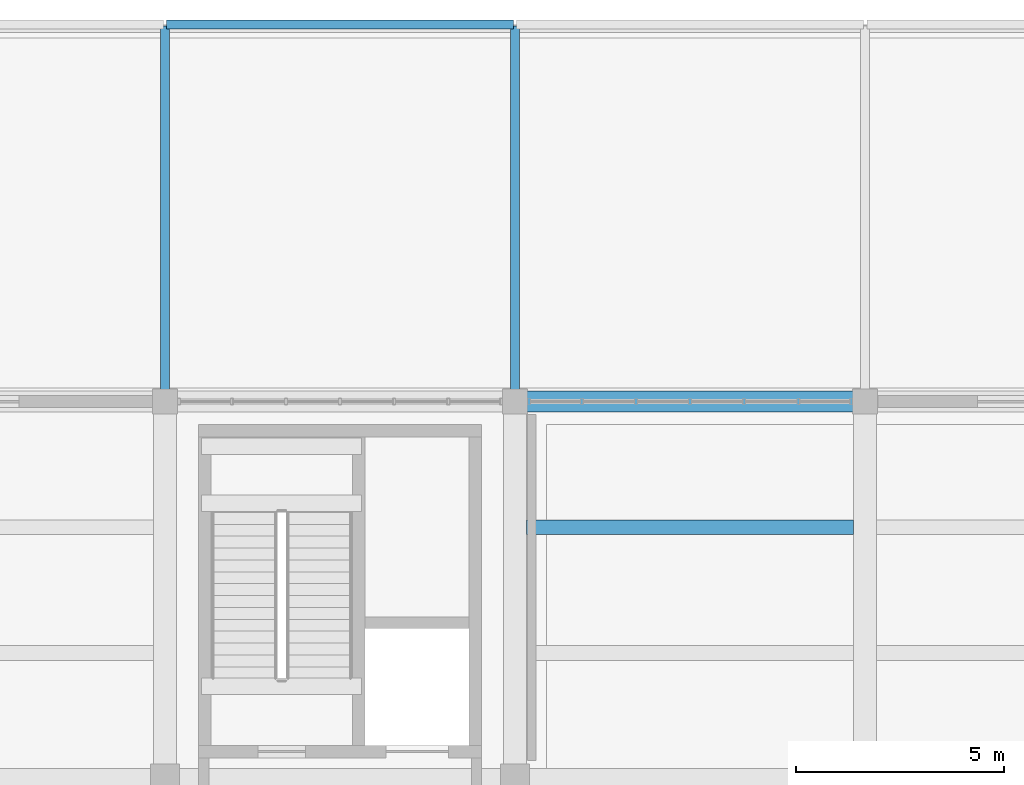
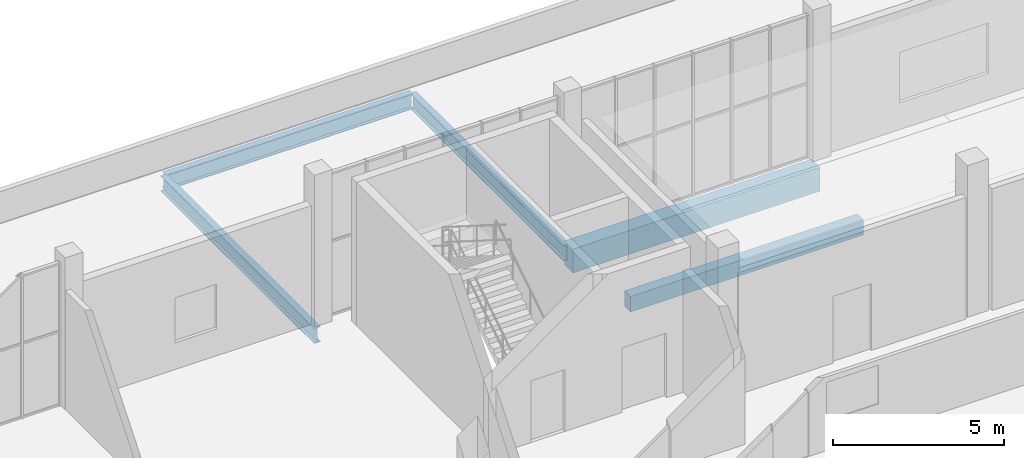
# One storey, part 86 of 132: 5 beams.
"""IFC4 building model written with IfcOpenShell, lengths in metres."""

from ifc_helpers import new_model, si_unit, direction, frame, origin, origin_2d, place, context, subcontext, project, spatial, rectangle, i_section, extrude, material, material_profile, profile_set, type_object, element, save


model = new_model("IFC4")

# Units and contexts
model_context = context("Model", 3, precision=1e-05, world=origin(), true_north=direction((0.0, 1.0)))
body_context = subcontext(model_context, "Body", "Model", "MODEL_VIEW")
ifc_project = project(units=[si_unit("LENGTHUNIT", "METRE"), si_unit("AREAUNIT", "SQUARE_METRE"), si_unit("VOLUMEUNIT", "CUBIC_METRE"), si_unit("PLANEANGLEUNIT", "RADIAN"), si_unit("MASSUNIT", "GRAM", prefix="KILO")], contexts=[model_context])

# Site, building, storey
site_placement = place(None, origin())
site = spatial("IfcSite", under=ifc_project, at=site_placement, CompositionType="ELEMENT")
building_placement = place(site_placement, origin())
building = spatial("IfcBuilding", under=site, at=building_placement, Name="Khurvash Pelagic Aquarium", CompositionType="ELEMENT")
storey_placement = place(building_placement, frame((0.0, 0.0, 5.39990234375)))
storey = spatial("IfcBuildingStorey", under=building, at=storey_placement, Name="L01", CompositionType="ELEMENT", Elevation=5.39990234375)

# Beams
ifc_material_1 = material(Name="Steel ASTM A992 Grade 50", Category="steel")
ifc_material_profile_1 = material_profile(ifc_material_1, i_section(OverallWidth=0.214111328125, OverallDepth=0.549072265625, WebThickness=0.0146484375, FlangeThickness=0.023681640625, at=origin_2d()), Name="W21X93")
ifc_profile_set_1 = profile_set([ifc_material_profile_1], Name="Steel ASTM A992 Grade 50")
beam_type_1 = type_object("IfcBeamType", Name="BM-11", PredefinedType="BEAM", material=ifc_profile_set_1)
beam_1_placement = place(storey_placement, frame((67.239990234375, 111.199951171875, -0.594482421875), z_axis=(1.0, 0.0, 0.0), x_axis=(0.0, 1.0, 0.0)))
element("IfcBeam", 1, at=beam_1_placement, inside=storey, type_object=beam_type_1, Name="L01 Roof Girder BM-11 01198", PredefinedType="BEAM", context=body_context, shape_type="SweptSolid", body=[
    extrude(i_section(OverallWidth=0.214111328125, OverallDepth=0.549072265625, WebThickness=0.0146484375, FlangeThickness=0.023681640625, at=origin_2d()), origin(), (0.0, 0.0, 1.0), 8.320068359375),
])
for number, where, z_axis, x_axis, name in (
    (2, (67.199951171875, 102.18994140625, -0.594482421875), (0.0, 1.0, 0.0), (-1.0, 0.0, 0.0), "L01 Roof Girder BM-11 01210"),
    (3, (75.60009765625, 102.18994140625, -0.594482421875), (0.0, 1.0, 0.0), (-1.0, 0.0, 0.0), "L01 Roof Girder BM-11 01211"),
):
    element("IfcBeam", number, at=place(storey_placement, frame(where, z_axis=z_axis, x_axis=x_axis)), inside=storey, type_object=beam_type_1, Name=name, PredefinedType="BEAM", context=body_context, shape_type="SweptSolid", body=[
        extrude(i_section(OverallWidth=0.214111328125, OverallDepth=0.549072265625, WebThickness=0.0146484375, FlangeThickness=0.023681640625, at=origin_2d()), origin(), (0.0, 0.0, 1.0), 8.969970703125),
    ])
ifc_material_2 = material(Name="Concrete C35/45", Category="concrete")
ifc_material_profile_2 = material_profile(ifc_material_2, rectangle(XDim=0.35009765625, YDim=0.550048828125, at=origin_2d()), Name="RC350X550")
ifc_profile_set_2 = profile_set([ifc_material_profile_2], Name="Concrete C35/45")
beam_type_2 = type_object("IfcBeamType", Name="JS-01", PredefinedType="JOIST", material=ifc_profile_set_2)
beam_2_placement = place(storey_placement, frame((75.875, 99.133056640625, -0.5849609375), z_axis=(1.0, 0.0, 0.0), x_axis=(0.0, 1.0, 0.0)))
element("IfcBeam", 4, at=beam_2_placement, inside=storey, type_object=beam_type_2, Name="L01 Floor Joist JS-01 00521", PredefinedType="JOIST", context=body_context, shape_type="SweptSolid", body=[
    extrude(rectangle(XDim=0.35009765625, YDim=0.550048828125, at=origin_2d()), origin(), (0.0, 0.0, 1.0), 7.85009765625),
])
ifc_material_3 = material(Name="Concrete C40/50", Category="concrete")
ifc_material_profile_3 = material_profile(ifc_material_3, rectangle(XDim=0.5, YDim=0.85009765625, at=origin_2d()), Name="RC500X850")
ifc_profile_set_3 = profile_set([ifc_material_profile_3], Name="Concrete C40/50")
beam_type_3 = type_object("IfcBeamType", Name="SEB-03", PredefinedType="SPANDREL", material=ifc_profile_set_3)
beam_3_placement = place(storey_placement, frame((75.639892578125, 102.14990234375, -0.744873046875), z_axis=(1.0, 0.0, 0.0), x_axis=(0.0, 1.0, 0.0)))
element("IfcBeam", 5, at=beam_3_placement, inside=storey, type_object=beam_type_3, Name="L01 Primary Girder SEB-03 00342", PredefinedType="SPANDREL", context=body_context, shape_type="SweptSolid", body=[
    extrude(rectangle(XDim=0.5, YDim=0.85009765625, at=origin_2d()), origin(), (0.0, 0.0, 1.0), 8.320068359375),
])

save(model, "model.ifc")
